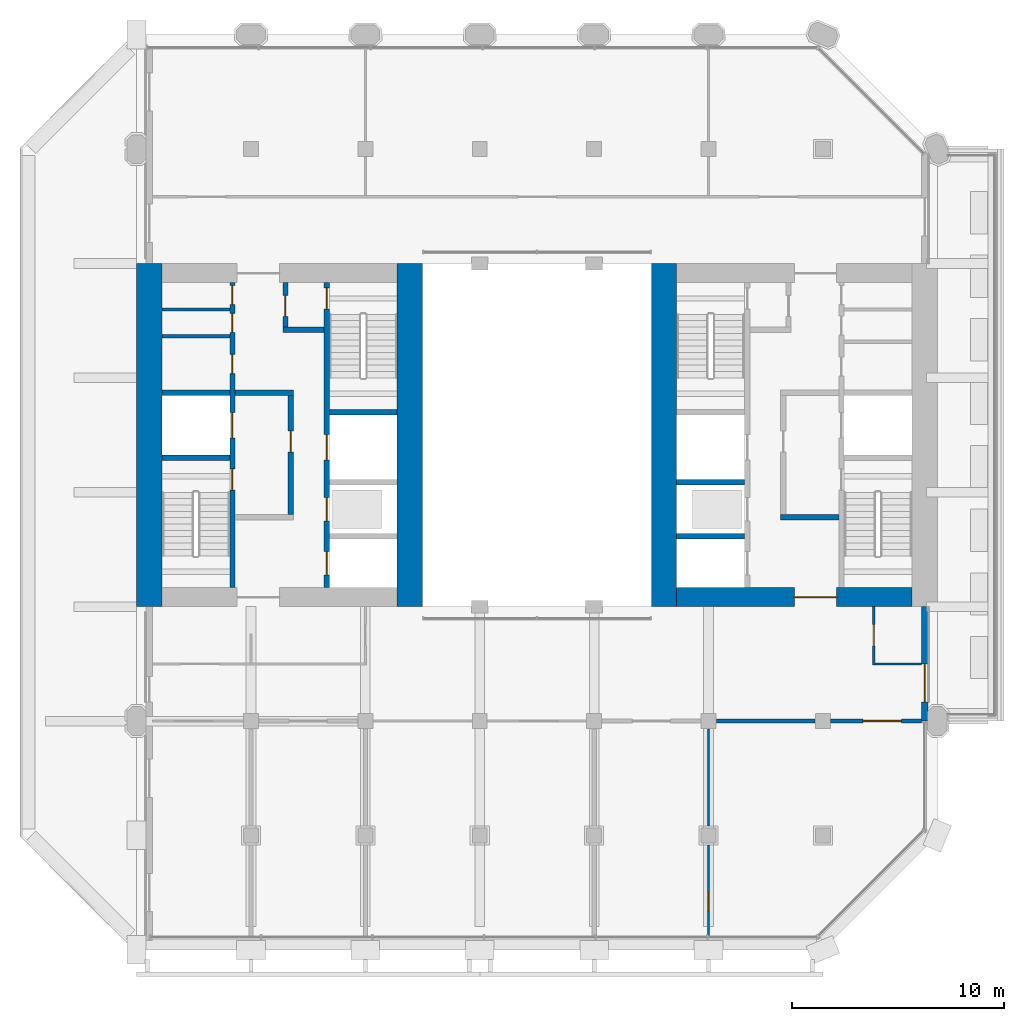
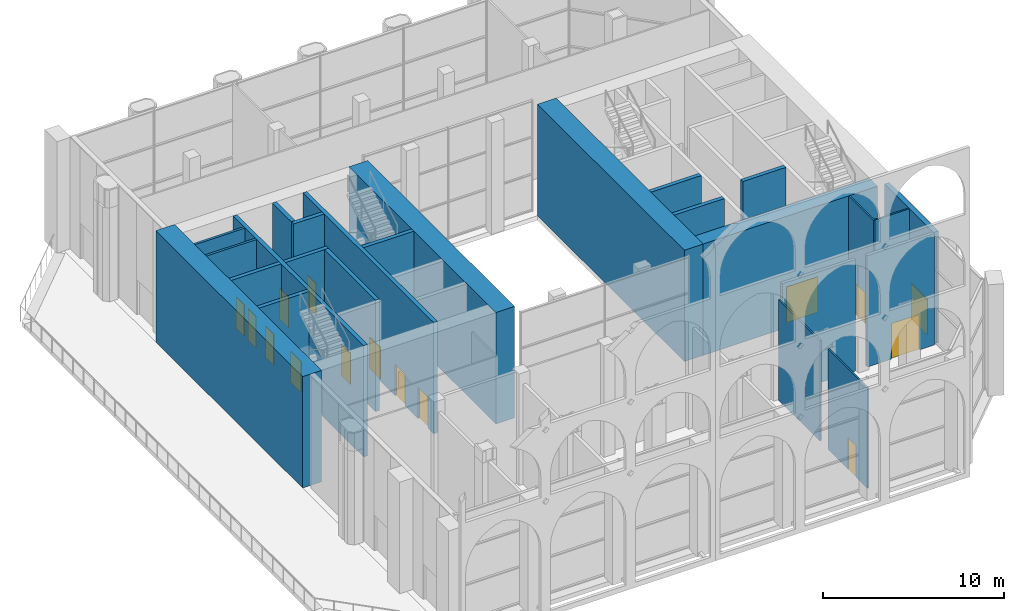
# One storey, part 10 of 20: 25 walls, 16 doors, 16 openings.
"""IFC4 building model written with IfcOpenShell, lengths in metres."""

from ifc_helpers import new_model, si_unit, direction, frame, frame_2d, origin, place, context, subcontext, project, spatial, rectangle, extrude, material, layer, layer_set, type_object, element, fill, save


model = new_model("IFC4")

# Units and contexts
model_context = context("Model", 3, precision=1e-05, world=origin(), true_north=direction((0.0, 1.0)))
body_context = subcontext(model_context, "Body", "Model", "MODEL_VIEW")
ifc_project = project(units=[si_unit("LENGTHUNIT", "METRE"), si_unit("AREAUNIT", "SQUARE_METRE"), si_unit("VOLUMEUNIT", "CUBIC_METRE"), si_unit("PLANEANGLEUNIT", "RADIAN"), si_unit("MASSUNIT", "GRAM", prefix="KILO")], contexts=[model_context])

# Site, building, storey
site_placement = place(None, origin())
site = spatial("IfcSite", under=ifc_project, at=site_placement, CompositionType="ELEMENT")
building_placement = place(site_placement, origin())
building = spatial("IfcBuilding", under=site, at=building_placement, Name="Tabaq Tower and Sports Hall", CompositionType="ELEMENT")
storey_placement = place(building_placement, frame((0.0, 0.0, 243.10009765625)))
storey = spatial("IfcBuildingStorey", under=building, at=storey_placement, Name="L60", CompositionType="ELEMENT", Elevation=243.10009765625)

# Walls
ifc_material_1 = material(Name="Blockwork", Category="masonry")
ifc_layer_1 = layer(ifc_material_1, 0.14990234375)
ifc_layer_set_1 = layer_set([ifc_layer_1], Name="Core room partition 150 Blockwork")
wall_type_1 = type_object("IfcWallType", Name="Core room partition 150 Blockwork", PredefinedType="PARTITIONING", material=ifc_layer_set_1)
for number, where, z_axis, x_axis, name in (
    (1, (6.60009765625, 28.962890625, 0.0), (0.0, 0.0, 1.0), (1.0, 0.0, 0.0), "Core room partition W L60"),
    (2, (6.60009765625, 30.23193359375, 0.0), (0.0, 0.0, 1.0), (1.0, 0.0, 0.0), "Core room partition W L60"),
):
    element("IfcWall", number, at=place(storey_placement, frame(where, z_axis=z_axis, x_axis=x_axis)), inside=storey, type_object=wall_type_1, Name=name, PredefinedType="PARTITIONING", context=body_context, shape_type="SweptSolid", body=[
        extrude(rectangle(XDim=3.199951171875, YDim=0.14990234375, at=frame_2d((1.60009765625, 0.0))), origin(), (0.0, 0.0, 1.0), 7.5),
    ])
ifc_material_2 = material(Name="Concrete C40/50", Category="concrete")
ifc_layer_2 = layer(ifc_material_2, 1.199951171875)
ifc_layer_set_2 = layer_set([ifc_layer_2], Name="Core wall 1200 Concrete C40/50")
wall_type_2 = type_object("IfcWallType", Name="Core wall 1200 Concrete C40/50", PredefinedType="SOLIDWALL", material=ifc_layer_set_2)
for number, where, z_axis, x_axis, name in (
    (3, (6.0, 16.199951171875, 0.0), (0.0, 0.0, 1.0), (0.0, 1.0, 0.0), "Core wall W L60"),
    (4, (18.300048828125, 32.39990234375, 0.0), (0.0, 0.0, 1.0), (0.0, -1.0, 0.0), "Core wall W L60"),
    (5, (30.300048828125, 16.199951171875, 0.0), (0.0, 0.0, 1.0), (0.0, 1.0, 0.0), "Core wall E L60"),
):
    element("IfcWall", number, at=place(storey_placement, frame(where, z_axis=z_axis, x_axis=x_axis)), inside=storey, type_object=wall_type_2, Name=name, PredefinedType="SOLIDWALL", context=body_context, shape_type="SweptSolid", body=[
        extrude(rectangle(XDim=16.199951171875, YDim=1.199951171875, at=frame_2d((8.10009765625, 0.0))), origin(), (0.0, 0.0, 1.0), 7.5),
    ])

# Wall, opening, door
ifc_material_3 = material(Name="Concrete C40/50", Category="concrete")
ifc_layer_3 = layer(ifc_material_3, 0.89990234375)
ifc_layer_set_3 = layer_set([ifc_layer_3], Name="Core wall 900 Concrete C40/50")
wall_type_3 = type_object("IfcWallType", Name="Core wall 900 Concrete C40/50", PredefinedType="SOLIDWALL", material=ifc_layer_set_3)
wall_1_placement = place(storey_placement, frame((42.0, 16.64990234375, 0.0), z_axis=(0.0, 0.0, 1.0), x_axis=(-1.0, 0.0, 0.0)))
wall_1 = element("IfcWall", 6, at=wall_1_placement, inside=storey, type_object=wall_type_3, Name="Core wall E L60", PredefinedType="SOLIDWALL", context=body_context, shape_type="SweptSolid", body=[
    extrude(rectangle(XDim=11.10009765625, YDim=0.89990234375, at=frame_2d((5.550048828125, 0.0))), origin(), (0.0, 0.0, 1.0), 7.5),
])
opening_1_placement = place(wall_1_placement, frame((3.550048828125, 0.0, 0.0)))
opening_1 = element("IfcOpeningElement", 7, at=opening_1_placement, cuts=wall_1, Name="Opening PD-EL60-01", PredefinedType="OPENING", context=body_context, shape_type="SweptSolid", body=[
    extrude(rectangle(XDim=2.0, YDim=2.39990234375, at=frame_2d((1.0, 1.199951171875))), frame((0.0, 0.449951171875, 0.0), z_axis=(0.0, -1.0, 0.0), x_axis=(1.0, 0.0, 0.0)), (0.0, 0.0, 1.0), 0.89990234375),
])
ifc_material_4 = material(Name="Steel fire door", Category="steel")
door_type_1 = type_object("IfcDoorType", Name="Core entrance door 2000", OperationType="DOUBLE_DOOR_SINGLE_SWING", PredefinedType="DOOR", material=ifc_material_4)
door_1_placement = place(opening_1_placement, origin())
door_1 = element("IfcDoor", 8, at=door_1_placement, inside=storey, type_object=door_type_1, Name="Core entrance south E L60", OperationType="DOUBLE_DOOR_SINGLE_SWING", OverallHeight=2.39990234375, OverallWidth=2.0, PredefinedType="DOOR", context=body_context, shape_type="SweptSolid", body=[
    extrude(rectangle(XDim=2.0, YDim=2.39990234375, at=frame_2d((1.0, 1.199951171875))), frame((0.0, 0.02490234375, 0.0), z_axis=(0.0, -1.0, 0.0), x_axis=(1.0, 0.0, 0.0)), (0.0, 0.0, 1.0), 0.050048828125),
])
fill(opening_1, door_1)

ifc_material_5 = material(Name="Blockwork", Category="masonry")
ifc_layer_4 = layer(ifc_material_5, 0.199951171875)
ifc_layer_set_4 = layer_set([ifc_layer_4], Name="Fire compartment wall 200 Blockwork")
wall_type_4 = type_object("IfcWallType", Name="Fire compartment wall 200 Blockwork", PredefinedType="PARTITIONING", material=ifc_layer_set_4)
wall_2_placement = place(storey_placement, frame((42.448974609375, 10.800048828125, 0.0), z_axis=(0.0, 0.0, 1.0), x_axis=(-1.0, 0.0, 0.0)))
wall_2 = element("IfcWall", 9, at=wall_2_placement, inside=storey, type_object=wall_type_4, Name="Compartment wall L60", PredefinedType="PARTITIONING", context=body_context, shape_type="SweptSolid", body=[
    extrude(rectangle(XDim=4.279052734375, YDim=0.199951171875, at=frame_2d((2.1396484375, 0.0))), origin(), (0.0, 0.0, 1.0), 7.5),
])
opening_2_placement = place(wall_2_placement, frame((0.948974609375, 0.0, 0.0)))
opening_2 = element("IfcOpeningElement", 10, at=opening_2_placement, cuts=wall_2, Name="Opening L60-010", PredefinedType="OPENING", context=body_context, shape_type="SweptSolid", body=[
    extrude(rectangle(XDim=1.800048828125, YDim=2.39990234375, at=frame_2d((0.89990234375, 1.199951171875))), frame((0.0, 0.10009765625, 0.0), z_axis=(0.0, -1.0, 0.0), x_axis=(1.0, 0.0, 0.0)), (0.0, 0.0, 1.0), 0.199951171875),
])
ifc_material_6 = material(Name="Timber leaf in steel frame", Category="steel")
door_type_2 = type_object("IfcDoorType", Name="Internal door 1800", OperationType="DOUBLE_DOOR_SINGLE_SWING", PredefinedType="DOOR", material=ifc_material_6)
door_2_placement = place(opening_2_placement, origin())
door_2 = element("IfcDoor", 11, at=door_2_placement, inside=storey, type_object=door_type_2, Name="Internal door L60-010", OperationType="DOUBLE_DOOR_SINGLE_SWING", OverallHeight=2.39990234375, OverallWidth=1.800048828125, PredefinedType="DOOR", context=body_context, shape_type="SweptSolid", body=[
    extrude(rectangle(XDim=1.800048828125, YDim=2.39990234375, at=frame_2d((0.89990234375, 1.199951171875))), frame((0.0, 0.02490234375, 0.0), z_axis=(0.0, -1.0, 0.0), x_axis=(1.0, 0.0, 0.0)), (0.0, 0.0, 1.0), 0.050048828125),
])
fill(opening_2, door_2)

# Walls
wall_3_placement = place(storey_placement, frame((37.429931640625, 10.800048828125, 0.0), z_axis=(0.0, 0.0, 1.0), x_axis=(-1.0, 0.0, 0.0)))
element("IfcWall", 12, at=wall_3_placement, inside=storey, type_object=wall_type_4, Name="Compartment wall L60", PredefinedType="PARTITIONING", context=body_context, shape_type="SweptSolid", body=[
    extrude(rectangle(XDim=4.659912109375, YDim=0.199951171875, at=frame_2d((2.330078125, 0.0))), origin(), (0.0, 0.0, 1.0), 7.5),
])
ifc_material_7 = material(Name="Gypsum board on steel studs", Category="steel")
ifc_layer_5 = layer(ifc_material_7, 0.10009765625)
ifc_layer_set_5 = layer_set([ifc_layer_5], Name="Partition 100 Gypsum board")
wall_type_5 = type_object("IfcWallType", Name="Partition 100 Gypsum board", PredefinedType="PARTITIONING", material=ifc_layer_set_5)
wall_4_placement = place(storey_placement, frame((32.39990234375, 10.429931640625, 0.0), z_axis=(0.0, 0.0, 1.0), x_axis=(0.0, -1.0, 0.0)))
element("IfcWall", 13, at=wall_4_placement, inside=storey, type_object=wall_type_5, Name="Partition wall L60", PredefinedType="PARTITIONING", context=body_context, shape_type="SweptSolid", body=[
    extrude(rectangle(XDim=4.579345703125, YDim=0.10009765625, at=frame_2d((2.28955078125, 0.0))), origin(), (0.0, 0.0, 1.0), 6.75),
])

# Wall, opening, door
wall_5_placement = place(storey_placement, frame((32.39990234375, 4.94921875, 0.0), z_axis=(0.0, 0.0, 1.0), x_axis=(0.0, -1.0, 0.0)))
wall_5 = element("IfcWall", 14, at=wall_5_placement, inside=storey, type_object=wall_type_5, Name="Partition wall L60", PredefinedType="PARTITIONING", context=body_context, shape_type="SweptSolid", body=[
    extrude(rectangle(XDim=4.34912109375, YDim=0.10009765625, at=frame_2d((2.174560546875, 0.0))), origin(), (0.0, 0.0, 1.0), 6.75),
])
opening_3_placement = place(wall_5_placement, frame((2.19921875, 0.0, 0.0)))
opening_3 = element("IfcOpeningElement", 15, at=opening_3_placement, cuts=wall_5, Name="Opening L60-009", PredefinedType="OPENING", context=body_context, shape_type="SweptSolid", body=[
    extrude(rectangle(XDim=0.89990234375, YDim=2.10009765625, at=frame_2d((0.449951171875, 1.050048828125))), frame((0.0, 0.050048828125, 0.0), z_axis=(0.0, -1.0, 0.0), x_axis=(1.0, 0.0, 0.0)), (0.0, 0.0, 1.0), 0.10009765625),
])
ifc_material_8 = material(Name="Timber leaf in steel frame", Category="steel")
door_type_3 = type_object("IfcDoorType", Name="Internal door 900 right hand", OperationType="SINGLE_SWING_RIGHT", PredefinedType="DOOR", material=ifc_material_8)
door_3_placement = place(opening_3_placement, origin())
door_3 = element("IfcDoor", 16, at=door_3_placement, inside=storey, type_object=door_type_3, Name="Internal door L60-009", OperationType="SINGLE_SWING_RIGHT", OverallHeight=2.10009765625, OverallWidth=0.89990234375, PredefinedType="DOOR", context=body_context, shape_type="SweptSolid", body=[
    extrude(rectangle(XDim=0.89990234375, YDim=2.10009765625, at=frame_2d((0.449951171875, 1.050048828125))), frame((0.0, 0.02490234375, 0.0), z_axis=(0.0, -1.0, 0.0), x_axis=(1.0, 0.0, 0.0)), (0.0, 0.0, 1.0), 0.050048828125),
])
fill(opening_3, door_3)

wall_6_placement = place(storey_placement, frame((40.199951171875, 16.199951171875, 0.0), z_axis=(0.0, 0.0, 1.0), x_axis=(0.0, -1.0, 0.0)))
wall_6 = element("IfcWall", 17, at=wall_6_placement, inside=storey, type_object=wall_type_5, Name="Partition wall L60", PredefinedType="PARTITIONING", context=body_context, shape_type="SweptSolid", body=[
    extrude(rectangle(XDim=2.75, YDim=0.10009765625, at=frame_2d((1.375, 0.0))), origin(), (0.0, 0.0, 1.0), 7.5),
])
opening_4_placement = place(wall_6_placement, frame((0.85009765625, 0.0, 0.0)))
opening_4 = element("IfcOpeningElement", 18, at=opening_4_placement, cuts=wall_6, Name="Opening L60-008", PredefinedType="OPENING", context=body_context, shape_type="SweptSolid", body=[
    extrude(rectangle(XDim=1.0, YDim=2.10009765625, at=frame_2d((0.5, 1.050048828125))), frame((0.0, 0.050048828125, 0.0), z_axis=(0.0, -1.0, 0.0), x_axis=(1.0, 0.0, 0.0)), (0.0, 0.0, 1.0), 0.10009765625),
])
ifc_material_9 = material(Name="Timber leaf in steel frame", Category="steel")
door_type_4 = type_object("IfcDoorType", Name="Internal door 1000 right hand", OperationType="SINGLE_SWING_RIGHT", PredefinedType="DOOR", material=ifc_material_9)
door_4_placement = place(opening_4_placement, origin())
door_4 = element("IfcDoor", 19, at=door_4_placement, inside=storey, type_object=door_type_4, Name="Internal door L60-008", OperationType="SINGLE_SWING_RIGHT", OverallHeight=2.10009765625, OverallWidth=1.0, PredefinedType="DOOR", context=body_context, shape_type="SweptSolid", body=[
    extrude(rectangle(XDim=1.0, YDim=2.10009765625, at=frame_2d((0.5, 1.050048828125))), frame((0.0, 0.02490234375, 0.0), z_axis=(0.0, -1.0, 0.0), x_axis=(1.0, 0.0, 0.0)), (0.0, 0.0, 1.0), 0.050048828125),
])
fill(opening_4, door_4)

# Wall
wall_7_placement = place(storey_placement, frame((40.25, 13.5, 0.0), z_axis=(0.0, 0.0, 1.0), x_axis=(1.0, 0.0, 0.0)))
element("IfcWall", 20, at=wall_7_placement, inside=storey, type_object=wall_type_5, Name="Partition wall L60", PredefinedType="PARTITIONING", context=body_context, shape_type="SweptSolid", body=[
    extrude(rectangle(XDim=2.198974609375, YDim=0.10009765625, at=frame_2d((1.099609375, 0.0))), origin(), (0.0, 0.0, 1.0), 7.5),
])

# Wall, openings, doors
ifc_material_10 = material(Name="Concrete C40/50", Category="concrete")
ifc_layer_6 = layer(ifc_material_10, 0.25)
ifc_layer_set_6 = layer_set([ifc_layer_6], Name="Shaft and stair wall 250 Concrete C40/50")
wall_type_6 = type_object("IfcWallType", Name="Shaft and stair wall 250 Concrete C40/50", PredefinedType="SOLIDWALL", material=ifc_layer_set_6)
wall_8_placement = place(storey_placement, frame((9.925048828125, 17.10009765625, 0.0), z_axis=(0.0, 0.0, 1.0), x_axis=(0.0, 1.0, 0.0)))
wall_8 = element("IfcWall", 21, at=wall_8_placement, inside=storey, type_object=wall_type_6, Name="Shaft wall W L60", PredefinedType="SOLIDWALL", context=body_context, shape_type="SweptSolid", body=[
    extrude(rectangle(XDim=14.39990234375, YDim=0.25, at=frame_2d((7.199951171875, 0.0))), origin(), (0.0, 0.0, 1.0), 7.5),
])
opening_5_placement = place(wall_8_placement, frame((4.60009765625, 0.0, 0.0)))
opening_5 = element("IfcOpeningElement", 22, at=opening_5_placement, cuts=wall_8, Name="Opening SD-WL60-03", PredefinedType="OPENING", context=body_context, shape_type="SweptSolid", body=[
    extrude(rectangle(XDim=1.0, YDim=2.10009765625, at=frame_2d((0.5, 1.050048828125))), frame((0.0, 0.125, 0.0), z_axis=(0.0, -1.0, 0.0), x_axis=(1.0, 0.0, 0.0)), (0.0, 0.0, 1.0), 0.25),
])
opening_6_placement = place(wall_8_placement, frame((7.0625, 0.0, 0.0)))
opening_6 = element("IfcOpeningElement", 23, at=opening_6_placement, cuts=wall_8, Name="Opening LD-FF1-L60", PredefinedType="OPENING", context=body_context, shape_type="SweptSolid", body=[
    extrude(rectangle(XDim=1.199951171875, YDim=2.10009765625, at=frame_2d((0.60009765625, 1.050048828125))), frame((0.0, 0.125, 0.0), z_axis=(0.0, -1.0, 0.0), x_axis=(1.0, 0.0, 0.0)), (0.0, 0.0, 1.0), 0.25),
])
opening_7_placement = place(wall_8_placement, frame((10.1064453125, 0.0, 0.0)))
opening_7 = element("IfcOpeningElement", 24, at=opening_7_placement, cuts=wall_8, Name="Opening RD-WL60-11", PredefinedType="OPENING", context=body_context, shape_type="SweptSolid", body=[
    extrude(rectangle(XDim=0.89990234375, YDim=2.10009765625, at=frame_2d((0.449951171875, 1.050048828125))), frame((0.0, 0.125, 0.0), z_axis=(0.0, -1.0, 0.0), x_axis=(1.0, 0.0, 0.0)), (0.0, 0.0, 1.0), 0.25),
])
opening_8_placement = place(wall_8_placement, frame((12.047607421875, 0.0, 0.0)))
opening_8 = element("IfcOpeningElement", 25, at=opening_8_placement, cuts=wall_8, Name="Opening RD-WL60-12", PredefinedType="OPENING", context=body_context, shape_type="SweptSolid", body=[
    extrude(rectangle(XDim=0.89990234375, YDim=2.10009765625, at=frame_2d((0.449951171875, 1.050048828125))), frame((0.0, 0.125, 0.0), z_axis=(0.0, -1.0, 0.0), x_axis=(1.0, 0.0, 0.0)), (0.0, 0.0, 1.0), 0.25),
])
opening_9_placement = place(wall_8_placement, frame((13.353515625, 0.0, 0.0)))
opening_9 = element("IfcOpeningElement", 26, at=opening_9_placement, cuts=wall_8, Name="Opening RD-WL60-13", PredefinedType="OPENING", context=body_context, shape_type="SweptSolid", body=[
    extrude(rectangle(XDim=0.89990234375, YDim=2.10009765625, at=frame_2d((0.449951171875, 1.050048828125))), frame((0.0, 0.125, 0.0), z_axis=(0.0, -1.0, 0.0), x_axis=(1.0, 0.0, 0.0)), (0.0, 0.0, 1.0), 0.25),
])
ifc_material_11 = material(Name="Steel fire door", Category="steel")
door_type_5 = type_object("IfcDoorType", Name="Core room door 900", OperationType="SINGLE_SWING_LEFT", PredefinedType="DOOR", material=ifc_material_11)
door_5_placement = place(opening_7_placement, origin())
door_5 = element("IfcDoor", 27, at=door_5_placement, inside=storey, type_object=door_type_5, Name="Door Unisex WC W L60", OperationType="SINGLE_SWING_LEFT", OverallHeight=2.10009765625, OverallWidth=0.89990234375, PredefinedType="DOOR", context=body_context, shape_type="SweptSolid", body=[
    extrude(rectangle(XDim=0.89990234375, YDim=2.10009765625, at=frame_2d((0.449951171875, 1.050048828125))), frame((0.0, 0.02490234375, 0.0), z_axis=(0.0, -1.0, 0.0), x_axis=(1.0, 0.0, 0.0)), (0.0, 0.0, 1.0), 0.050048828125),
])
fill(opening_7, door_5)
door_6_placement = place(opening_8_placement, origin())
door_6 = element("IfcDoor", 28, at=door_6_placement, inside=storey, type_object=door_type_5, Name="Door Cleaner's Store W L60", OperationType="SINGLE_SWING_LEFT", OverallHeight=2.10009765625, OverallWidth=0.89990234375, PredefinedType="DOOR", context=body_context, shape_type="SweptSolid", body=[
    extrude(rectangle(XDim=0.89990234375, YDim=2.10009765625, at=frame_2d((0.449951171875, 1.050048828125))), frame((0.0, 0.02490234375, 0.0), z_axis=(0.0, -1.0, 0.0), x_axis=(1.0, 0.0, 0.0)), (0.0, 0.0, 1.0), 0.050048828125),
])
fill(opening_8, door_6)
door_7_placement = place(opening_9_placement, origin())
door_7 = element("IfcDoor", 29, at=door_7_placement, inside=storey, type_object=door_type_5, Name="Door Accessible WC W L60", OperationType="SINGLE_SWING_LEFT", OverallHeight=2.10009765625, OverallWidth=0.89990234375, PredefinedType="DOOR", context=body_context, shape_type="SweptSolid", body=[
    extrude(rectangle(XDim=0.89990234375, YDim=2.10009765625, at=frame_2d((0.449951171875, 1.050048828125))), frame((0.0, 0.02490234375, 0.0), z_axis=(0.0, -1.0, 0.0), x_axis=(1.0, 0.0, 0.0)), (0.0, 0.0, 1.0), 0.050048828125),
])
fill(opening_9, door_7)
ifc_material_12 = material(Name="Stainless steel", Category="steel")
door_type_6 = type_object("IfcDoorType", Name="Lift landing door 1200", OperationType="DOUBLE_DOOR_SLIDING", PredefinedType="DOOR", material=ifc_material_12)
door_8_placement = place(opening_6_placement, origin())
door_8 = element("IfcDoor", 30, at=door_8_placement, inside=storey, type_object=door_type_6, Name="Lift landing door FF1 W L60", OperationType="DOUBLE_DOOR_SLIDING", OverallHeight=2.10009765625, OverallWidth=1.199951171875, PredefinedType="DOOR", context=body_context, shape_type="SweptSolid", body=[
    extrude(rectangle(XDim=1.199951171875, YDim=2.10009765625, at=frame_2d((0.60009765625, 1.050048828125))), frame((0.0, 0.02490234375, 0.0), z_axis=(0.0, -1.0, 0.0), x_axis=(1.0, 0.0, 0.0)), (0.0, 0.0, 1.0), 0.050048828125),
])
fill(opening_6, door_8)
ifc_material_13 = material(Name="Steel fire door", Category="steel")
door_type_7 = type_object("IfcDoorType", Name="Stair door 1000", OperationType="SINGLE_SWING_LEFT", PredefinedType="DOOR", material=ifc_material_13)
door_9_placement = place(opening_5_placement, origin())
door_9 = element("IfcDoor", 31, at=door_9_placement, inside=storey, type_object=door_type_7, Name="Stair door ST1 W L60", OperationType="SINGLE_SWING_LEFT", OverallHeight=2.10009765625, OverallWidth=1.0, PredefinedType="DOOR", context=body_context, shape_type="SweptSolid", body=[
    extrude(rectangle(XDim=1.0, YDim=2.10009765625, at=frame_2d((0.5, 1.050048828125))), frame((0.0, 0.02490234375, 0.0), z_axis=(0.0, -1.0, 0.0), x_axis=(1.0, 0.0, 0.0)), (0.0, 0.0, 1.0), 0.050048828125),
])
fill(opening_5, door_9)

wall_9_placement = place(storey_placement, frame((14.375, 17.10009765625, 0.0), z_axis=(0.0, 0.0, 1.0), x_axis=(0.0, 1.0, 0.0)))
wall_9 = element("IfcWall", 32, at=wall_9_placement, inside=storey, type_object=wall_type_6, Name="Shaft wall W L60", PredefinedType="SOLIDWALL", context=body_context, shape_type="SweptSolid", body=[
    extrude(rectangle(XDim=14.39990234375, YDim=0.25, at=frame_2d((7.199951171875, 0.0))), origin(), (0.0, 0.0, 1.0), 7.5),
])
opening_10_placement = place(wall_9_placement, frame((13.14990234375, 0.0, 0.0)))
opening_10 = element("IfcOpeningElement", 33, at=opening_10_placement, cuts=wall_9, Name="Opening SD-WL60-05", PredefinedType="OPENING", context=body_context, shape_type="SweptSolid", body=[
    extrude(rectangle(XDim=1.0, YDim=2.10009765625, at=frame_2d((0.5, 1.050048828125))), frame((0.0, 0.125, 0.0), z_axis=(0.0, -1.0, 0.0), x_axis=(1.0, 0.0, 0.0)), (0.0, 0.0, 1.0), 0.25),
])
opening_11_placement = place(wall_9_placement, frame((0.60009765625, 0.0, 0.0)))
opening_11 = element("IfcOpeningElement", 34, at=opening_11_placement, cuts=wall_9, Name="Opening LD-MR1-L60", PredefinedType="OPENING", context=body_context, shape_type="SweptSolid", body=[
    extrude(rectangle(XDim=1.10009765625, YDim=2.10009765625, at=frame_2d((0.550048828125, 1.050048828125))), frame((0.0, 0.125, 0.0), z_axis=(0.0, -1.0, 0.0), x_axis=(1.0, 0.0, 0.0)), (0.0, 0.0, 1.0), 0.25),
])
opening_12_placement = place(wall_9_placement, frame((3.14990234375, 0.0, 0.0)))
opening_12 = element("IfcOpeningElement", 35, at=opening_12_placement, cuts=wall_9, Name="Opening LD-HR1-L60", PredefinedType="OPENING", context=body_context, shape_type="SweptSolid", body=[
    extrude(rectangle(XDim=1.10009765625, YDim=2.10009765625, at=frame_2d((0.550048828125, 1.050048828125))), frame((0.0, 0.125, 0.0), z_axis=(0.0, -1.0, 0.0), x_axis=(1.0, 0.0, 0.0)), (0.0, 0.0, 1.0), 0.25),
])
opening_13_placement = place(wall_9_placement, frame((6.02490234375, 0.0, 0.0)))
opening_13 = element("IfcOpeningElement", 36, at=opening_13_placement, cuts=wall_9, Name="Opening LD-SH1-L60", PredefinedType="OPENING", context=body_context, shape_type="SweptSolid", body=[
    extrude(rectangle(XDim=1.199951171875, YDim=2.10009765625, at=frame_2d((0.60009765625, 1.050048828125))), frame((0.0, 0.125, 0.0), z_axis=(0.0, -1.0, 0.0), x_axis=(1.0, 0.0, 0.0)), (0.0, 0.0, 1.0), 0.25),
])
ifc_material_14 = material(Name="Stainless steel", Category="steel")
door_type_8 = type_object("IfcDoorType", Name="Lift landing door 1100", OperationType="DOUBLE_DOOR_SLIDING", PredefinedType="DOOR", material=ifc_material_14)
door_10_placement = place(opening_11_placement, origin())
door_10 = element("IfcDoor", 37, at=door_10_placement, inside=storey, type_object=door_type_8, Name="Lift landing door MR1 W L60", OperationType="DOUBLE_DOOR_SLIDING", OverallHeight=2.10009765625, OverallWidth=1.10009765625, PredefinedType="DOOR", context=body_context, shape_type="SweptSolid", body=[
    extrude(rectangle(XDim=1.10009765625, YDim=2.10009765625, at=frame_2d((0.550048828125, 1.050048828125))), frame((0.0, 0.02490234375, 0.0), z_axis=(0.0, -1.0, 0.0), x_axis=(1.0, 0.0, 0.0)), (0.0, 0.0, 1.0), 0.050048828125),
])
fill(opening_11, door_10)
door_11_placement = place(opening_12_placement, origin())
door_11 = element("IfcDoor", 38, at=door_11_placement, inside=storey, type_object=door_type_8, Name="Lift landing door HR1 W L60", OperationType="DOUBLE_DOOR_SLIDING", OverallHeight=2.10009765625, OverallWidth=1.10009765625, PredefinedType="DOOR", context=body_context, shape_type="SweptSolid", body=[
    extrude(rectangle(XDim=1.10009765625, YDim=2.10009765625, at=frame_2d((0.550048828125, 1.050048828125))), frame((0.0, 0.02490234375, 0.0), z_axis=(0.0, -1.0, 0.0), x_axis=(1.0, 0.0, 0.0)), (0.0, 0.0, 1.0), 0.050048828125),
])
fill(opening_12, door_11)
door_12_placement = place(opening_13_placement, origin())
door_12 = element("IfcDoor", 39, at=door_12_placement, inside=storey, type_object=door_type_6, Name="Lift landing door SH1 W L60", OperationType="DOUBLE_DOOR_SLIDING", OverallHeight=2.10009765625, OverallWidth=1.199951171875, PredefinedType="DOOR", context=body_context, shape_type="SweptSolid", body=[
    extrude(rectangle(XDim=1.199951171875, YDim=2.10009765625, at=frame_2d((0.60009765625, 1.050048828125))), frame((0.0, 0.02490234375, 0.0), z_axis=(0.0, -1.0, 0.0), x_axis=(1.0, 0.0, 0.0)), (0.0, 0.0, 1.0), 0.050048828125),
])
fill(opening_13, door_12)
door_13_placement = place(opening_10_placement, origin())
door_13 = element("IfcDoor", 40, at=door_13_placement, inside=storey, type_object=door_type_7, Name="Stair door ST2 W L60", OperationType="SINGLE_SWING_LEFT", OverallHeight=2.10009765625, OverallWidth=1.0, PredefinedType="DOOR", context=body_context, shape_type="SweptSolid", body=[
    extrude(rectangle(XDim=1.0, YDim=2.10009765625, at=frame_2d((0.5, 1.050048828125))), frame((0.0, 0.02490234375, 0.0), z_axis=(0.0, -1.0, 0.0), x_axis=(1.0, 0.0, 0.0)), (0.0, 0.0, 1.0), 0.050048828125),
])
fill(opening_10, door_13)

# Walls
for number, where, z_axis, x_axis, name in (
    (41, (6.60009765625, 23.22509765625, 0.0), (0.0, 0.0, 1.0), (1.0, 0.0, 0.0), "Stair enclosure wall W L60"),
    (42, (14.5, 25.375, 0.0), (0.0, 0.0, 1.0), (1.0, 0.0, 0.0), "Stair enclosure wall W L60"),
    (43, (6.60009765625, 26.300048828125, 0.0), (0.0, 0.0, 1.0), (1.0, 0.0, 0.0), "Shaft wall W L60"),
):
    element("IfcWall", number, at=place(storey_placement, frame(where, z_axis=z_axis, x_axis=x_axis)), inside=storey, type_object=wall_type_6, Name=name, PredefinedType="SOLIDWALL", context=body_context, shape_type="SweptSolid", body=[
        extrude(rectangle(XDim=3.199951171875, YDim=0.25, at=frame_2d((1.60009765625, 0.0))), origin(), (0.0, 0.0, 1.0), 7.5),
    ])
wall_10_placement = place(storey_placement, frame((10.050048828125, 26.300048828125, 0.0), z_axis=(0.0, 0.0, 1.0), x_axis=(1.0, 0.0, 0.0)))
element("IfcWall", 44, at=wall_10_placement, inside=storey, type_object=wall_type_6, Name="Fire-fighting lobby wall W L60", PredefinedType="SOLIDWALL", context=body_context, shape_type="SweptSolid", body=[
    extrude(rectangle(XDim=2.75, YDim=0.25, at=frame_2d((1.375, 0.0))), origin(), (0.0, 0.0, 1.0), 7.5),
])

# Wall, opening, door
wall_11_placement = place(storey_placement, frame((12.425048828125, 29.39990234375, 0.0), z_axis=(0.0, 0.0, 1.0), x_axis=(0.0, 1.0, 0.0)))
wall_11 = element("IfcWall", 45, at=wall_11_placement, inside=storey, type_object=wall_type_6, Name="Fire-fighting lobby wall W L60", PredefinedType="SOLIDWALL", context=body_context, shape_type="SweptSolid", body=[
    extrude(rectangle(XDim=2.10009765625, YDim=0.25, at=frame_2d((1.050048828125, 0.0))), origin(), (0.0, 0.0, 1.0), 7.5),
])
opening_14_placement = place(wall_11_placement, frame((0.5, 0.0, 0.0)))
opening_14 = element("IfcOpeningElement", 46, at=opening_14_placement, cuts=wall_11, Name="Opening FD-WL60-06", PredefinedType="OPENING", context=body_context, shape_type="SweptSolid", body=[
    extrude(rectangle(XDim=1.0, YDim=2.10009765625, at=frame_2d((0.5, 1.050048828125))), frame((0.0, 0.125, 0.0), z_axis=(0.0, -1.0, 0.0), x_axis=(1.0, 0.0, 0.0)), (0.0, 0.0, 1.0), 0.25),
])
ifc_material_15 = material(Name="Steel fire door", Category="steel")
door_type_9 = type_object("IfcDoorType", Name="Fire-fighting lobby door 1000", OperationType="SINGLE_SWING_LEFT", PredefinedType="DOOR", material=ifc_material_15)
door_14_placement = place(opening_14_placement, origin())
door_14 = element("IfcDoor", 47, at=door_14_placement, inside=storey, type_object=door_type_9, Name="Stair lobby door W L60", OperationType="SINGLE_SWING_LEFT", OverallHeight=2.10009765625, OverallWidth=1.0, PredefinedType="DOOR", context=body_context, shape_type="SweptSolid", body=[
    extrude(rectangle(XDim=1.0, YDim=2.10009765625, at=frame_2d((0.5, 1.050048828125))), frame((0.0, 0.02490234375, 0.0), z_axis=(0.0, -1.0, 0.0), x_axis=(1.0, 0.0, 0.0)), (0.0, 0.0, 1.0), 0.050048828125),
])
fill(opening_14, door_14)

# Wall
wall_12_placement = place(storey_placement, frame((12.300048828125, 29.27490234375, 0.0), z_axis=(0.0, 0.0, 1.0), x_axis=(1.0, 0.0, 0.0)))
element("IfcWall", 48, at=wall_12_placement, inside=storey, type_object=wall_type_6, Name="Fire-fighting lobby wall W L60", PredefinedType="SOLIDWALL", context=body_context, shape_type="SweptSolid", body=[
    extrude(rectangle(XDim=1.949951171875, YDim=0.25, at=frame_2d((0.97509765625, 0.0))), origin(), (0.0, 0.0, 1.0), 7.5),
])

# Wall, opening, door
wall_13_placement = place(storey_placement, frame((12.675048828125, 20.550048828125, 0.0), z_axis=(0.0, 0.0, 1.0), x_axis=(0.0, 1.0, 0.0)))
wall_13 = element("IfcWall", 49, at=wall_13_placement, inside=storey, type_object=wall_type_6, Name="Fire-fighting lobby wall W L60", PredefinedType="SOLIDWALL", context=body_context, shape_type="SweptSolid", body=[
    extrude(rectangle(XDim=5.625, YDim=0.25, at=frame_2d((2.8125, 0.0))), origin(), (0.0, 0.0, 1.0), 7.5),
])
opening_15_placement = place(wall_13_placement, frame((2.949951171875, 0.0, 0.0)))
opening_15 = element("IfcOpeningElement", 50, at=opening_15_placement, cuts=wall_13, Name="Opening FD-WL60-04", PredefinedType="OPENING", context=body_context, shape_type="SweptSolid", body=[
    extrude(rectangle(XDim=1.0, YDim=2.10009765625, at=frame_2d((0.5, 1.050048828125))), frame((0.0, 0.125, 0.0), z_axis=(0.0, -1.0, 0.0), x_axis=(1.0, 0.0, 0.0)), (0.0, 0.0, 1.0), 0.25),
])
door_15_placement = place(opening_15_placement, origin())
door_15 = element("IfcDoor", 51, at=door_15_placement, inside=storey, type_object=door_type_9, Name="Fire-fighting lobby door W L60", OperationType="SINGLE_SWING_LEFT", OverallHeight=2.10009765625, OverallWidth=1.0, PredefinedType="DOOR", context=body_context, shape_type="SweptSolid", body=[
    extrude(rectangle(XDim=1.0, YDim=2.10009765625, at=frame_2d((0.5, 1.050048828125))), frame((0.0, 0.02490234375, 0.0), z_axis=(0.0, -1.0, 0.0), x_axis=(1.0, 0.0, 0.0)), (0.0, 0.0, 1.0), 0.050048828125),
])
fill(opening_15, door_15)

# Walls
wall_14_placement = place(storey_placement, frame((30.89990234375, 22.074951171875, 0.0), z_axis=(0.0, 0.0, 1.0), x_axis=(1.0, 0.0, 0.0)))
element("IfcWall", 52, at=wall_14_placement, inside=storey, type_object=wall_type_6, Name="Shaft wall E L60", PredefinedType="SOLIDWALL", context=body_context, shape_type="SweptSolid", body=[
    extrude(rectangle(XDim=3.2001953125, YDim=0.25, at=frame_2d((1.60009765625, 0.0))), origin(), (0.0, 0.0, 1.0), 7.5),
])
wall_15_placement = place(storey_placement, frame((35.800048828125, 20.425048828125, 0.0), z_axis=(0.0, 0.0, 1.0), x_axis=(1.0, 0.0, 0.0)))
element("IfcWall", 53, at=wall_15_placement, inside=storey, type_object=wall_type_6, Name="Fire-fighting lobby wall E L60", PredefinedType="SOLIDWALL", context=body_context, shape_type="SweptSolid", body=[
    extrude(rectangle(XDim=2.75, YDim=0.25, at=frame_2d((1.375, 0.0))), origin(), (0.0, 0.0, 1.0), 7.5),
])
wall_16_placement = place(storey_placement, frame((30.89990234375, 19.52490234375, 0.0), z_axis=(0.0, 0.0, 1.0), x_axis=(1.0, 0.0, 0.0)))
element("IfcWall", 54, at=wall_16_placement, inside=storey, type_object=wall_type_6, Name="Shaft wall E L60", PredefinedType="SOLIDWALL", context=body_context, shape_type="SweptSolid", body=[
    extrude(rectangle(XDim=3.2001953125, YDim=0.25, at=frame_2d((1.60009765625, 0.0))), origin(), (0.0, 0.0, 1.0), 7.5),
])

# Wall, opening, door
ifc_material_16 = material(Name="White precast concrete C60/75", Category="concrete")
ifc_layer_7 = layer(ifc_material_16, 0.300048828125)
ifc_layer_set_7 = layer_set([ifc_layer_7], Name="White precast concrete C60/75 external wall 300")
wall_type_7 = type_object("IfcWallType", Name="White precast concrete C60/75 external wall 300", PredefinedType="SOLIDWALL", material=ifc_layer_set_7)
wall_17_placement = place(storey_placement, frame((42.60009765625, 10.800048828125, 0.0), z_axis=(0.0, 0.0, 1.0), x_axis=(0.0, 1.0, 0.0)))
wall_17 = element("IfcWall", 55, at=wall_17_placement, inside=storey, type_object=wall_type_7, Name="External Wall L60 E", PredefinedType="SOLIDWALL", context=body_context, shape_type="SweptSolid", body=[
    extrude(rectangle(XDim=5.39990234375, YDim=0.300048828125, at=frame_2d((2.699951171875, 0.0))), origin(), (0.0, 0.0, 1.0), 7.5),
])
opening_16_placement = place(wall_17_placement, frame((0.89990234375, 0.0, 0.0)))
opening_16 = element("IfcOpeningElement", 56, at=opening_16_placement, cuts=wall_17, Name="Opening TD6001", PredefinedType="OPENING", context=body_context, shape_type="SweptSolid", body=[
    extrude(rectangle(XDim=1.800048828125, YDim=2.39990234375, at=frame_2d((0.89990234375, 1.199951171875))), frame((0.0, 0.16015625, 0.0), z_axis=(0.0, -1.0, 0.0), x_axis=(1.0, 0.0, 0.0)), (0.0, 0.0, 1.0), 0.320068359375),
])
ifc_material_17 = material(Name="Aluminium framed clear glazing", Category="aluminium")
door_type_10 = type_object("IfcDoorType", Name="Terrace door TD1", OperationType="DOUBLE_DOOR_DOUBLE_SWING", PredefinedType="DOOR", material=ifc_material_17)
door_16_placement = place(opening_16_placement, origin())
door_16 = element("IfcDoor", 57, at=door_16_placement, inside=storey, type_object=door_type_10, Name="Terrace door TD6001", OperationType="DOUBLE_DOOR_DOUBLE_SWING", OverallHeight=2.39990234375, OverallWidth=1.800048828125, PredefinedType="DOOR", context=body_context, shape_type="SweptSolid", body=[
    extrude(rectangle(XDim=1.800048828125, YDim=2.39990234375, at=frame_2d((0.89990234375, 1.199951171875))), frame((0.0, 0.02490234375, 0.0), z_axis=(0.0, -1.0, 0.0), x_axis=(1.0, 0.0, 0.0)), (0.0, 0.0, 1.0), 0.050048828125),
])
fill(opening_16, door_16)

save(model, "model.ifc")
